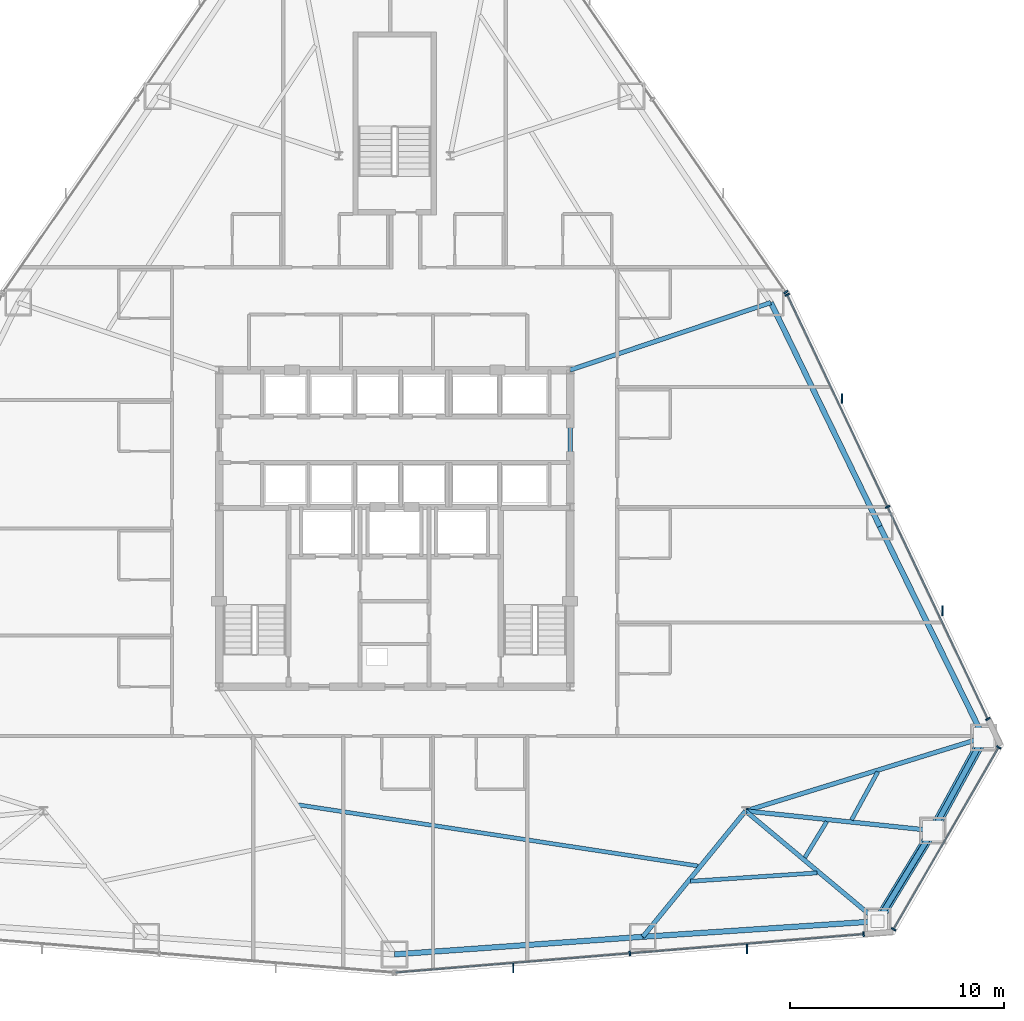
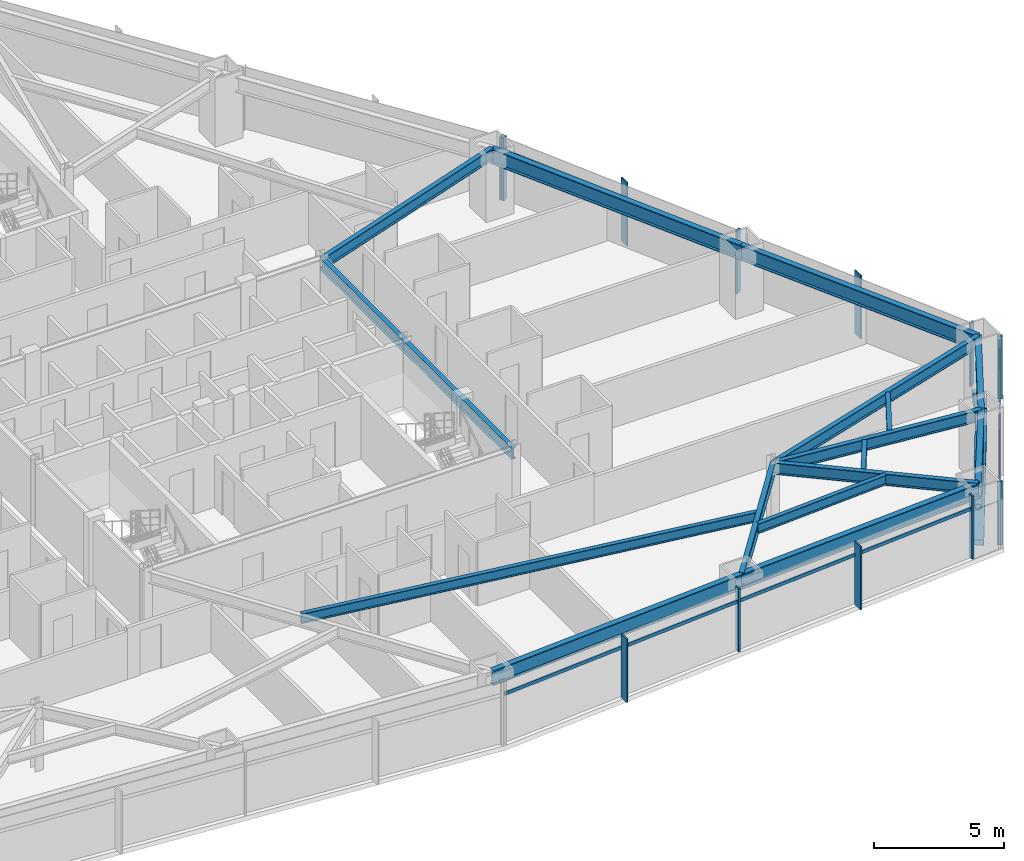
# One storey, part 6 of 13: 18 members, 16 beams, 4 elements without a shape of their own.
"""IFC4 building model written with IfcOpenShell, lengths in metres."""

from ifc_helpers import new_model, si_unit, direction, frame, origin, origin_2d, place, context, subcontext, project, spatial, rectangle, hollow_rectangle, hollow_circle, i_section, extrude, source, transform, mapped, material, layer, layer_set, material_profile, profile_set, type_object, type_shapes, element, aggregate, save


model = new_model("IFC4")

# Units and contexts
model_context = context("Model", 3, precision=1e-05, world=origin(), true_north=direction((0.0, 1.0)))
body_context = subcontext(model_context, "Body", "Model", "MODEL_VIEW")
ifc_project = project(units=[si_unit("LENGTHUNIT", "METRE"), si_unit("AREAUNIT", "SQUARE_METRE"), si_unit("VOLUMEUNIT", "CUBIC_METRE"), si_unit("PLANEANGLEUNIT", "RADIAN"), si_unit("MASSUNIT", "GRAM", prefix="KILO")], contexts=[model_context])

# Site, building, storey
site_placement = place(None, origin())
site = spatial("IfcSite", under=ifc_project, at=site_placement, CompositionType="ELEMENT")
building_placement = place(site_placement, origin())
building = spatial("IfcBuilding", under=site, at=building_placement, Name="Varakhsha Concourse Tower", CompositionType="ELEMENT")
storey_placement = place(building_placement, frame((0.0, 0.0, 46.39990234375)))
storey = spatial("IfcBuildingStorey", under=building, at=storey_placement, Name="L12", CompositionType="ELEMENT", Elevation=46.39990234375)

# Beams
ifc_material_1 = material(Name="Structural Steel ASTM A992 Grade 50", Category="steel")
ifc_material_profile_1 = material_profile(ifc_material_1, i_section(OverallWidth=0.19091796875, OverallDepth=0.45703125, WebThickness=0.009033203125, FlangeThickness=0.013916015625, at=origin_2d()), Name="W18X50")
ifc_profile_set_1 = profile_set([ifc_material_profile_1], Name="Structural Steel ASTM A992 Grade 50")
beam_type_1 = type_object("IfcBeamType", Name="BM-JST-W18X50", PredefinedType="JOIST", material=ifc_profile_set_1)
beam_1_placement = place(storey_placement, frame((35.5166015625, 10.883056640625, 2.751708984375), z_axis=(0.988514030491, -0.151129122017, 0.0), x_axis=(0.151129122017, 0.988514030491, 0.0)))
element("IfcBeam", 1, at=beam_1_placement, inside=storey, type_object=beam_type_1, Name="BM-TJST-L12-11", PredefinedType="JOIST", context=body_context, shape_type="SweptSolid", body=[
    extrude(i_section(OverallWidth=0.19091796875, OverallDepth=0.45703125, WebThickness=0.009033203125, FlangeThickness=0.013916015625, at=origin_2d()), origin(), (0.0, 0.0, 1.0), 18.879638671875),
])
beam_2_placement = place(storey_placement, frame((53.822021484375, 7.31494140625, 2.751708984375), z_axis=(0.997817622743, 0.066030233549, 0.0), x_axis=(-0.066030233549, 0.997817622743, 0.0)))
element("IfcBeam", 2, at=beam_2_placement, inside=storey, type_object=beam_type_1, Name="BM-TJST-L12-12", PredefinedType="JOIST", context=body_context, shape_type="SweptSolid", body=[
    extrude(i_section(OverallWidth=0.19091796875, OverallDepth=0.45703125, WebThickness=0.009033203125, FlangeThickness=0.013916015625, at=origin_2d()), origin(), (0.0, 0.0, 1.0), 5.934326171875),
])
beam_3_placement = place(storey_placement, frame((59.17041015625, 8.426513671875, 2.751708984375), z_axis=(0.520412708424, 0.853914874511, 0.0), x_axis=(-0.853914874511, 0.520412708424, 0.0)))
element("IfcBeam", 3, at=beam_3_placement, inside=storey, type_object=beam_type_1, Name="BM-TJST-L12-13", PredefinedType="JOIST", context=body_context, shape_type="SweptSolid", body=[
    extrude(i_section(OverallWidth=0.19091796875, OverallDepth=0.45703125, WebThickness=0.009033203125, FlangeThickness=0.013916015625, at=origin_2d()), origin(), (0.0, 0.0, 1.0), 1.9619140625),
])
beam_4_placement = place(storey_placement, frame((61.350830078125, 10.18212890625, 2.751708984375), z_axis=(0.479380501669, 0.877607164179, 0.0), x_axis=(-0.877607164179, 0.479380501669, 0.0)))
element("IfcBeam", 4, at=beam_4_placement, inside=storey, type_object=beam_type_1, Name="BM-TJST-L12-14", PredefinedType="JOIST", context=body_context, shape_type="SweptSolid", body=[
    extrude(i_section(OverallWidth=0.19091796875, OverallDepth=0.45703125, WebThickness=0.009033203125, FlangeThickness=0.013916015625, at=origin_2d()), origin(), (0.0, 0.0, 1.0), 2.55712890625),
])
ifc_material_profile_2 = material_profile(ifc_material_1, i_section(OverallWidth=0.2109375, OverallDepth=0.5390625, WebThickness=0.011962890625, FlangeThickness=0.01904296875, at=origin_2d()), Name="W21X73")
ifc_profile_set_2 = profile_set([ifc_material_profile_2], Name="Structural Steel ASTM A992 Grade 50")
beam_type_2 = type_object("IfcBeamType", Name="BM-RAD-W21X73", PredefinedType="BEAM", material=ifc_profile_set_2)
beam_5_placement = place(storey_placement, frame((48.199951171875, 16.39990234375, 2.710693359375), z_axis=(0.0, 1.0, 0.0), x_axis=(-1.0, 0.0, 0.0)))
element("IfcBeam", 5, at=beam_5_placement, inside=storey, type_object=beam_type_2, Name="BM-TCORE-L12-CE", PredefinedType="BEAM", context=body_context, shape_type="SweptSolid", body=[
    extrude(i_section(OverallWidth=0.2109375, OverallDepth=0.5390625, WebThickness=0.011962890625, FlangeThickness=0.01904296875, at=origin_2d()), origin(), (0.0, 0.0, 1.0), 14.800048828125),
])
beam_6_placement = place(storey_placement, frame((56.39990234375, 10.60009765625, 2.710693359375), z_axis=(-0.632361519262, -0.77467342084, 0.0), x_axis=(0.77467342084, -0.632361519262, 0.0)))
element("IfcBeam", 6, at=beam_6_placement, inside=storey, type_object=beam_type_2, Name="L12 Radial Floor Girder 12", PredefinedType="BEAM", context=body_context, shape_type="SweptSolid", body=[
    extrude(i_section(OverallWidth=0.2109375, OverallDepth=0.5390625, WebThickness=0.011962890625, FlangeThickness=0.01904296875, at=origin_2d()), origin(), (0.0, 0.0, 1.0), 7.589599609375),
])
beam_7_placement = place(storey_placement, frame((56.39990234375, 10.60009765625, 2.710693359375), z_axis=(0.767329066502, -0.641253540887, 0.0), x_axis=(0.641253540887, 0.767329066502, 0.0)))
element("IfcBeam", 7, at=beam_7_placement, inside=storey, type_object=beam_type_2, Name="L12 Radial Floor Girder 13", PredefinedType="BEAM", context=body_context, shape_type="SweptSolid", body=[
    extrude(i_section(OverallWidth=0.2109375, OverallDepth=0.5390625, WebThickness=0.011962890625, FlangeThickness=0.01904296875, at=origin_2d()), origin(), (0.0, 0.0, 1.0), 8.036376953125),
])
beam_8_placement = place(storey_placement, frame((56.39990234375, 10.60009765625, 2.710693359375), z_axis=(0.994529307573, -0.104457916778, 0.0), x_axis=(0.104457916778, 0.994529307573, 0.0)))
element("IfcBeam", 8, at=beam_8_placement, inside=storey, type_object=beam_type_2, Name="L12 Radial Floor Girder 14", PredefinedType="BEAM", context=body_context, shape_type="SweptSolid", body=[
    extrude(i_section(OverallWidth=0.2109375, OverallDepth=0.5390625, WebThickness=0.011962890625, FlangeThickness=0.01904296875, at=origin_2d()), origin(), (0.0, 0.0, 1.0), 8.794921875),
])
beam_9_placement = place(storey_placement, frame((56.39990234375, 10.60009765625, 2.710693359375), z_axis=(0.955523369022, 0.294915396773, 0.0), x_axis=(-0.294915396773, 0.955523369022, 0.0)))
element("IfcBeam", 9, at=beam_9_placement, inside=storey, type_object=beam_type_2, Name="L12 Radial Floor Girder 15", PredefinedType="BEAM", context=body_context, shape_type="SweptSolid", body=[
    extrude(i_section(OverallWidth=0.2109375, OverallDepth=0.5390625, WebThickness=0.011962890625, FlangeThickness=0.01904296875, at=origin_2d()), origin(), (0.0, 0.0, 1.0), 11.641845703125),
])
beam_10_placement = place(storey_placement, frame((48.199951171875, 31.199951171875, 2.710693359375), z_axis=(0.947972870005, 0.318351123345, 0.0), x_axis=(-0.318351123345, 0.947972870005, 0.0)))
element("IfcBeam", 10, at=beam_10_placement, inside=storey, type_object=beam_type_2, Name="L12 Radial Floor Girder 17", PredefinedType="BEAM", context=body_context, shape_type="SweptSolid", body=[
    extrude(i_section(OverallWidth=0.2109375, OverallDepth=0.5390625, WebThickness=0.011962890625, FlangeThickness=0.01904296875, at=origin_2d()), origin(), (0.0, 0.0, 1.0), 9.89599609375),
])
ifc_material_profile_3 = material_profile(ifc_material_1, i_section(OverallWidth=0.25390625, OverallDepth=0.701904296875, WebThickness=0.014892578125, FlangeThickness=0.028076171875, at=origin_2d()), Name="W27X129")
ifc_profile_set_3 = profile_set([ifc_material_profile_3], Name="Structural Steel ASTM A992 Grade 50")
beam_type_3 = type_object("IfcBeamType", Name="BM-SPAN-W27X129", PredefinedType="SPANDREL", material=ifc_profile_set_3)
beam_11_placement = place(storey_placement, frame((40.0, 3.899169921875, 2.629150390625), z_axis=(0.997501780615, 0.070641331168, 0.0), x_axis=(-0.070641331168, 0.997501780615, 0.0)))
element("IfcBeam", 11, at=beam_11_placement, inside=storey, type_object=beam_type_3, Name="BM-SPAN-L12-11", PredefinedType="SPANDREL", context=body_context, shape_type="SweptSolid", body=[
    extrude(i_section(OverallWidth=0.25390625, OverallDepth=0.701904296875, WebThickness=0.014892578125, FlangeThickness=0.028076171875, at=origin_2d()), origin(), (0.0, 0.0, 1.0), 11.629638671875),
])
beam_12_placement = place(storey_placement, frame((51.6005859375, 4.720703125, 2.629150390625), z_axis=(0.997815134751, 0.06606782017, 0.0), x_axis=(-0.06606782017, 0.997815134751, 0.0)))
element("IfcBeam", 12, at=beam_12_placement, inside=storey, type_object=beam_type_3, Name="BM-SPAN-L12-12", PredefinedType="SPANDREL", context=body_context, shape_type="SweptSolid", body=[
    extrude(i_section(OverallWidth=0.25390625, OverallDepth=0.701904296875, WebThickness=0.014892578125, FlangeThickness=0.028076171875, at=origin_2d()), origin(), (0.0, 0.0, 1.0), 10.98974609375),
])
beam_13_placement = place(storey_placement, frame((62.56640625, 5.44677734375, 2.629150390625), z_axis=(0.520348294869, 0.85395412759, 0.0), x_axis=(-0.85395412759, 0.520348294869, 0.0)))
element("IfcBeam", 13, at=beam_13_placement, inside=storey, type_object=beam_type_3, Name="BM-SPAN-L12-13", PredefinedType="SPANDREL", context=body_context, shape_type="SweptSolid", body=[
    extrude(i_section(OverallWidth=0.25390625, OverallDepth=0.701904296875, WebThickness=0.014892578125, FlangeThickness=0.028076171875, at=origin_2d()), origin(), (0.0, 0.0, 1.0), 4.958740234375),
])
beam_14_placement = place(storey_placement, frame((65.146728515625, 9.681396484375, 2.629150390625), z_axis=(0.479372903145, 0.877611314723, 0.0), x_axis=(-0.877611314723, 0.479372903145, 0.0)))
element("IfcBeam", 14, at=beam_14_placement, inside=storey, type_object=beam_type_3, Name="BM-SPAN-L12-14", PredefinedType="SPANDREL", context=body_context, shape_type="SweptSolid", body=[
    extrude(i_section(OverallWidth=0.25390625, OverallDepth=0.701904296875, WebThickness=0.014892578125, FlangeThickness=0.028076171875, at=origin_2d()), origin(), (0.0, 0.0, 1.0), 4.958984375),
])
beam_15_placement = place(storey_placement, frame((67.52392578125, 14.033447265625, 2.629150390625), z_axis=(-0.441677973031, 0.897173655509, 0.0), x_axis=(-0.897173655509, -0.441677973031, 0.0)))
element("IfcBeam", 15, at=beam_15_placement, inside=storey, type_object=beam_type_3, Name="BM-SPAN-L12-15", PredefinedType="SPANDREL", context=body_context, shape_type="SweptSolid", body=[
    extrude(i_section(OverallWidth=0.25390625, OverallDepth=0.701904296875, WebThickness=0.014892578125, FlangeThickness=0.028076171875, at=origin_2d()), origin(), (0.0, 0.0, 1.0), 10.989990234375),
])
beam_16_placement = place(storey_placement, frame((62.669921875, 23.893310546875, 2.629150390625), z_axis=(-0.437581332588, 0.899178835032, 0.0), x_axis=(-0.899178835032, -0.437581332588, 0.0)))
element("IfcBeam", 16, at=beam_16_placement, inside=storey, type_object=beam_type_3, Name="BM-SPAN-L12-16", PredefinedType="SPANDREL", context=body_context, shape_type="SweptSolid", body=[
    extrude(i_section(OverallWidth=0.25390625, OverallDepth=0.701904296875, WebThickness=0.014892578125, FlangeThickness=0.028076171875, at=origin_2d()), origin(), (0.0, 0.0, 1.0), 11.629638671875),
])

# Members
ifc_material_2 = material(Name="Structural Steel ASTM A500 Grade C", Category="steel")
ifc_material_profile_4 = material_profile(ifc_material_2, hollow_rectangle(XDim=0.449951171875, YDim=0.449951171875, WallThickness=0.01904296875, at=origin_2d()), Name="HSS 450x450x19")
ifc_profile_set_4 = profile_set([ifc_material_profile_4], Name="Structural Steel ASTM A500 Grade C")
member_type_1 = type_object("IfcMemberType", Name="MB-TUBE-HSS450", PredefinedType="BRACE", material=ifc_profile_set_4)
shared_shape_1 = source(origin(), body_context, "Body", "SweptSolid", [
    extrude(hollow_rectangle(XDim=0.449951171875, YDim=0.449951171875, WallThickness=0.01904296875, at=origin_2d()), origin(), (0.0, 0.0, 1.0), 5.580810546875),
])
member_1_placement = place(storey_placement, frame((67.52392578125, 14.033447265625, 0.1201171875), z_axis=(-0.425960053824, -0.77982581077, 0.458726211811), x_axis=(0.877611314723, -0.479372903145, 0.0)))
element("IfcMember", 17, at=member_1_placement, inside=storey, type_object=member_type_1, Name="L12 Wind-Corner Tube Brace B06", PredefinedType="BRACE", context=body_context, shape_type="MappedRepresentation", body=[
    mapped(shared_shape_1, transform((0.0, 0.0, 0.0), scale=1.0)),
])
shared_shape_2 = source(origin(), body_context, "Body", "SweptSolid", [
    extrude(hollow_rectangle(XDim=0.449951171875, YDim=0.449951171875, WallThickness=0.01904296875, at=origin_2d()), origin(), (0.0, 0.0, 1.0), 5.58056640625),
])
type_shapes(member_type_1, [shared_shape_1, shared_shape_2])
member_2_placement = place(storey_placement, frame((62.56640625, 5.44677734375, 0.1201171875), z_axis=(0.462367199705, 0.758800177773, 0.458736158209), x_axis=(-0.85395412759, 0.520348294869, 0.0)))
element("IfcMember", 18, at=member_2_placement, inside=storey, type_object=member_type_1, Name="L12 Wind-Corner Tube Brace B05", PredefinedType="BRACE", context=body_context, shape_type="MappedRepresentation", body=[
    mapped(shared_shape_2, transform((0.0, 0.0, 0.0), scale=1.0)),
])
ifc_material_profile_5 = material_profile(ifc_material_2, hollow_circle(Radius=0.136474609375, WallThickness=0.011962890625, at=origin_2d()), Name="CHS 273x12")
ifc_profile_set_5 = profile_set([ifc_material_profile_5], Name="Structural Steel ASTM A500 Grade C")
member_type_2 = type_object("IfcMemberType", Name="MB-WIND-CHS273", PredefinedType="COLLAR", material=ifc_profile_set_5)
shared_shape_3 = source(origin(), body_context, "Body", "SweptSolid", [
    extrude(hollow_circle(Radius=0.136474609375, WallThickness=0.011962890625, at=origin_2d()), origin(), (0.0, 0.0, 1.0), 4.958740234375),
])
type_shapes(member_type_2, [shared_shape_3])
member_3_placement = place(storey_placement, frame((62.56640625, 5.44677734375, 1.800048828125), z_axis=(0.520348294869, 0.85395412759, 0.0), x_axis=(-0.85395412759, 0.520348294869, 0.0)))
element("IfcMember", 19, at=member_3_placement, inside=storey, type_object=member_type_2, Name="L12 Wind-Corner Collar Tie 3", PredefinedType="COLLAR", context=body_context, shape_type="MappedRepresentation", body=[
    mapped(shared_shape_3, transform((0.0, 0.0, 0.0), scale=1.0)),
])

# Curtain wall, members
ifc_material_3 = material(Name="Anodised Bronze Architectural Aluminium AA 6063-T6", Category="aluminium")
ifc_layer = layer(ifc_material_3, 0.219970703125, Name="CW-SYS-02")
ifc_layer_set = layer_set([ifc_layer], Name="Anodised Bronze Architectural Aluminium AA 6063-T6")
curtain_wall_type = type_object("IfcCurtainWallType", Name="CW-SYS-02", PredefinedType="NOTDEFINED", material=ifc_layer_set)
curtain_wall_1_placement = place(storey_placement, origin())
curtain_wall_1 = element("IfcCurtainWall", 20, at=curtain_wall_1_placement, inside=storey, type_object=curtain_wall_type, Name="L12 Crystal Curtain Wall F6", PredefinedType="NOTDEFINED")
ifc_material_profile_6 = material_profile(ifc_material_3, rectangle(XDim=0.074951171875, YDim=0.219970703125, at=origin_2d()), Name="CWM-220X75")
ifc_profile_set_6 = profile_set([ifc_material_profile_6], Name="Anodised Bronze Architectural Aluminium AA 6063-T6")
member_type_3 = type_object("IfcMemberType", Name="CWM-220X75", PredefinedType="MULLION", material=ifc_profile_set_6)
shared_shape_4 = source(origin(), body_context, "Body", "SweptSolid", [
    extrude(rectangle(XDim=0.074951171875, YDim=0.219970703125, at=origin_2d()), origin(), (0.0, 0.0, 1.0), 2.97998046875),
])
type_shapes(member_type_3, [shared_shape_4])
member_4_placement = place(storey_placement, frame((61.91650390625, 4.843505859375, 0.0), z_axis=(0.0, 0.0, 1.0), x_axis=(-0.996659944452, -0.081663670777, 0.0)))
member_4 = element("IfcMember", 21, at=member_4_placement, type_object=member_type_3, Name="CW-L12-F6 Mullion 00", PredefinedType="MULLION", context=body_context, shape_type="MappedRepresentation", body=[
    mapped(shared_shape_4, transform((0.0, 0.0, 0.0), scale=1.0)),
])
member_5_placement = place(storey_placement, frame((50.99169921875, 3.948486328125, 0.0), z_axis=(0.0, 0.0, 1.0), x_axis=(-0.996659944452, -0.081663670777, 0.0)))
member_5 = element("IfcMember", 22, at=member_5_placement, type_object=member_type_3, Name="CW-L12-F6 Mullion 01", PredefinedType="MULLION", context=body_context, shape_type="MappedRepresentation", body=[
    mapped(shared_shape_4, transform((0.0, 0.0, 0.0), scale=1.0)),
])

curtain_wall_2_placement = place(storey_placement, origin())
curtain_wall_2 = element("IfcCurtainWall", 23, at=curtain_wall_2_placement, inside=storey, type_object=curtain_wall_type, Name="L12 Chamfer Curtain Wall F7", PredefinedType="NOTDEFINED")
member_6_placement = place(storey_placement, frame((68.224609375, 13.572509765625, 0.0), z_axis=(0.0, 0.0, 1.0), x_axis=(-0.49999395399, -0.866028894422, 0.0)))
member_6 = element("IfcMember", 24, at=member_6_placement, type_object=member_type_3, Name="CW-L12-F7 Mullion 00", PredefinedType="MULLION", context=body_context, shape_type="MappedRepresentation", body=[
    mapped(shared_shape_4, transform((0.0, 0.0, 0.0), scale=1.0)),
])
member_7_placement = place(storey_placement, frame((63.316162109375, 5.070556640625, 0.0), z_axis=(0.0, 0.0, 1.0), x_axis=(-0.49999395399, -0.866028894422, 0.0)))
member_7 = element("IfcMember", 25, at=member_7_placement, type_object=member_type_3, Name="CW-L12-F7 Mullion 01", PredefinedType="MULLION", context=body_context, shape_type="MappedRepresentation", body=[
    mapped(shared_shape_4, transform((0.0, 0.0, 0.0), scale=1.0)),
])

curtain_wall_3_placement = place(storey_placement, origin())
curtain_wall_3 = element("IfcCurtainWall", 26, at=curtain_wall_3_placement, inside=storey, type_object=curtain_wall_type, Name="L12 Crystal Curtain Wall F8", PredefinedType="NOTDEFINED")
member_8_placement = place(storey_placement, frame((58.34716796875, 34.7158203125, 0.0), z_axis=(0.0, 0.0, 1.0), x_axis=(0.427604003332, -0.903966158844, 0.0)))
member_8 = element("IfcMember", 27, at=member_8_placement, type_object=member_type_3, Name="CW-L12-F8 Mullion 00", PredefinedType="MULLION", context=body_context, shape_type="MappedRepresentation", body=[
    mapped(shared_shape_4, transform((0.0, 0.0, 0.0), scale=1.0)),
])
member_9_placement = place(storey_placement, frame((63.0341796875, 24.806884765625, 0.0), z_axis=(0.0, 0.0, 1.0), x_axis=(0.427604003332, -0.903966158844, 0.0)))
member_9 = element("IfcMember", 28, at=member_9_placement, type_object=member_type_3, Name="CW-L12-F8 Mullion 01", PredefinedType="MULLION", context=body_context, shape_type="MappedRepresentation", body=[
    mapped(shared_shape_4, transform((0.0, 0.0, 0.0), scale=1.0)),
])
member_10_placement = place(storey_placement, frame((67.721435546875, 14.898193359375, 0.0), z_axis=(0.0, 0.0, 1.0), x_axis=(0.427604003332, -0.903966158844, 0.0)))
member_10 = element("IfcMember", 29, at=member_10_placement, type_object=member_type_3, Name="CW-L12-F8 Mullion 02", PredefinedType="MULLION", context=body_context, shape_type="MappedRepresentation", body=[
    mapped(shared_shape_4, transform((0.0, 0.0, 0.0), scale=1.0)),
])

# Curtain wall, member
curtain_wall_4_placement = place(storey_placement, origin())
curtain_wall_4 = element("IfcCurtainWall", 30, at=curtain_wall_4_placement, inside=storey, type_object=curtain_wall_type, Name="L12 Crystal Curtain Wall F9", PredefinedType="NOTDEFINED")
member_11_placement = place(storey_placement, frame((58.280517578125, 34.8310546875, 0.0), z_axis=(0.0, 0.0, 1.0), x_axis=(0.569057091236, -0.822298015877, 0.0)))
member_11 = element("IfcMember", 31, at=member_11_placement, type_object=member_type_3, Name="CW-L12-F9 Mullion 02", PredefinedType="MULLION", context=body_context, shape_type="MappedRepresentation", body=[
    mapped(shared_shape_4, transform((0.0, 0.0, 0.0), scale=1.0)),
])
aggregate(curtain_wall_4, [member_11])

# Member
ifc_material_profile_7 = material_profile(ifc_material_3, rectangle(XDim=0.06494140625, YDim=0.449951171875, at=origin_2d()), Name="FIN-BRZ-450")
ifc_profile_set_7 = profile_set([ifc_material_profile_7], Name="Anodised Bronze Architectural Aluminium AA 6063-T6")
member_type_4 = type_object("IfcMemberType", Name="FIN-BRZ-450", PredefinedType="USERDEFINED", material=ifc_profile_set_7)
shared_shape_5 = source(origin(), body_context, "Body", "SweptSolid", [
    extrude(rectangle(XDim=0.06494140625, YDim=0.449951171875, at=origin_2d()), origin(), (0.0, 0.0, 1.0), 2.97998046875),
])
type_shapes(member_type_4, [shared_shape_5])
member_12_placement = place(storey_placement, frame((56.4736328125, 4.15673828125, 0.0), z_axis=(0.0, 0.0, 1.0), x_axis=(1.0, 0.0, 0.0)))
member_12 = element("IfcMember", 32, at=member_12_placement, type_object=member_type_4, Name="L12 Anodised Bronze Solar Fin F6-1", ObjectType="SOLAR FIN", PredefinedType="USERDEFINED", context=body_context, shape_type="MappedRepresentation", body=[
    mapped(shared_shape_5, transform((0.0, 0.0, 0.0), scale=1.0)),
])

member_13_placement = place(storey_placement, frame((45.548583984375, 3.26171875, 0.0), z_axis=(0.0, 0.0, 1.0), x_axis=(1.0, 0.0, 0.0)))
member_13 = element("IfcMember", 33, at=member_13_placement, type_object=member_type_4, Name="L12 Anodised Bronze Solar Fin F6-2", ObjectType="SOLAR FIN", PredefinedType="USERDEFINED", context=body_context, shape_type="MappedRepresentation", body=[
    mapped(shared_shape_5, transform((0.0, 0.0, 0.0), scale=1.0)),
])

member_14_placement = place(storey_placement, frame((60.90771484375, 29.864013671875, 0.0), z_axis=(0.0, 0.0, 1.0), x_axis=(1.0, 0.0, 0.0)))
member_14 = element("IfcMember", 34, at=member_14_placement, type_object=member_type_4, Name="L12 Anodised Bronze Solar Fin F8-1", ObjectType="SOLAR FIN", PredefinedType="USERDEFINED", context=body_context, shape_type="MappedRepresentation", body=[
    mapped(shared_shape_5, transform((0.0, 0.0, 0.0), scale=1.0)),
])

member_15_placement = place(storey_placement, frame((65.5947265625, 19.955078125, 0.0), z_axis=(0.0, 0.0, 1.0), x_axis=(1.0, 0.0, 0.0)))
member_15 = element("IfcMember", 35, at=member_15_placement, type_object=member_type_4, Name="L12 Anodised Bronze Solar Fin F8-2", ObjectType="SOLAR FIN", PredefinedType="USERDEFINED", context=body_context, shape_type="MappedRepresentation", body=[
    mapped(shared_shape_5, transform((0.0, 0.0, 0.0), scale=1.0)),
])

ifc_material_profile_8 = material_profile(ifc_material_3, rectangle(XDim=0.06494140625, YDim=0.159912109375, at=origin_2d()), Name="CWT-160X65")
ifc_profile_set_8 = profile_set([ifc_material_profile_8], Name="Anodised Bronze Architectural Aluminium AA 6063-T6")
member_type_5 = type_object("IfcMemberType", Name="CWT-160X65", PredefinedType="USERDEFINED", material=ifc_profile_set_8)
shared_shape_6 = source(origin(), body_context, "Body", "SweptSolid", [
    extrude(rectangle(XDim=0.06494140625, YDim=0.159912109375, at=origin_2d()), origin(), (0.0, 0.0, 1.0), 21.923095703125),
])
member_16_placement = place(storey_placement, frame((61.91650390625, 4.843505859375, 2.330078125), z_axis=(-0.996660077382, -0.08166204842, 0.0), x_axis=(0.08166204842, -0.996660077382, 0.0)))
member_16 = element("IfcMember", 36, at=member_16_placement, type_object=member_type_5, Name="CW-L12-F6 Transom 01", ObjectType="TRANSOM", PredefinedType="USERDEFINED", context=body_context, shape_type="MappedRepresentation", body=[
    mapped(shared_shape_6, transform((0.0, 0.0, 0.0), scale=1.0)),
])

aggregate(curtain_wall_1, [member_4, member_5, member_16, member_12, member_13])

shared_shape_7 = source(origin(), body_context, "Body", "SweptSolid", [
    extrude(rectangle(XDim=0.06494140625, YDim=0.159912109375, at=origin_2d()), origin(), (0.0, 0.0, 1.0), 21.9228515625),
])
member_17_placement = place(storey_placement, frame((58.34716796875, 34.7158203125, 2.330078125), z_axis=(0.427600870916, -0.903967640567, 0.0), x_axis=(0.903967640567, 0.427600870916, 0.0)))
member_17 = element("IfcMember", 37, at=member_17_placement, type_object=member_type_5, Name="CW-L12-F8 Transom 01", ObjectType="TRANSOM", PredefinedType="USERDEFINED", context=body_context, shape_type="MappedRepresentation", body=[
    mapped(shared_shape_7, transform((0.0, 0.0, 0.0), scale=1.0)),
])

aggregate(curtain_wall_3, [member_8, member_9, member_10, member_17, member_14, member_15])

shared_shape_8 = source(origin(), body_context, "Body", "SweptSolid", [
    extrude(rectangle(XDim=0.06494140625, YDim=0.159912109375, at=origin_2d()), origin(), (0.0, 0.0, 1.0), 9.817138671875),
])
type_shapes(member_type_5, [shared_shape_6, shared_shape_7, shared_shape_8])
member_18_placement = place(storey_placement, frame((68.224609375, 13.572509765625, 2.330078125), z_axis=(-0.499987955211, -0.866032357735, 0.0), x_axis=(0.866032357735, -0.499987955211, 0.0)))
member_18 = element("IfcMember", 38, at=member_18_placement, type_object=member_type_5, Name="CW-L12-F7 Transom 01", ObjectType="TRANSOM", PredefinedType="USERDEFINED", context=body_context, shape_type="MappedRepresentation", body=[
    mapped(shared_shape_8, transform((0.0, 0.0, 0.0), scale=1.0)),
])

aggregate(curtain_wall_2, [member_6, member_7, member_18])

save(model, "model.ifc")
